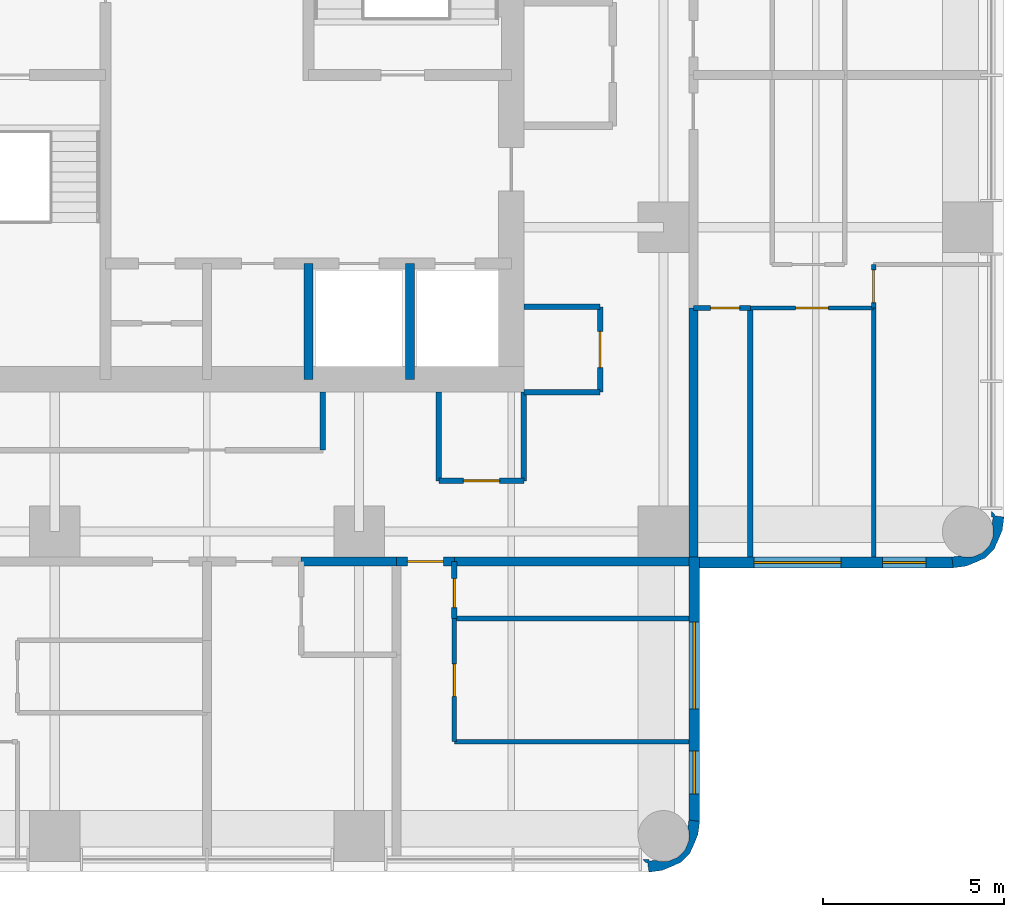
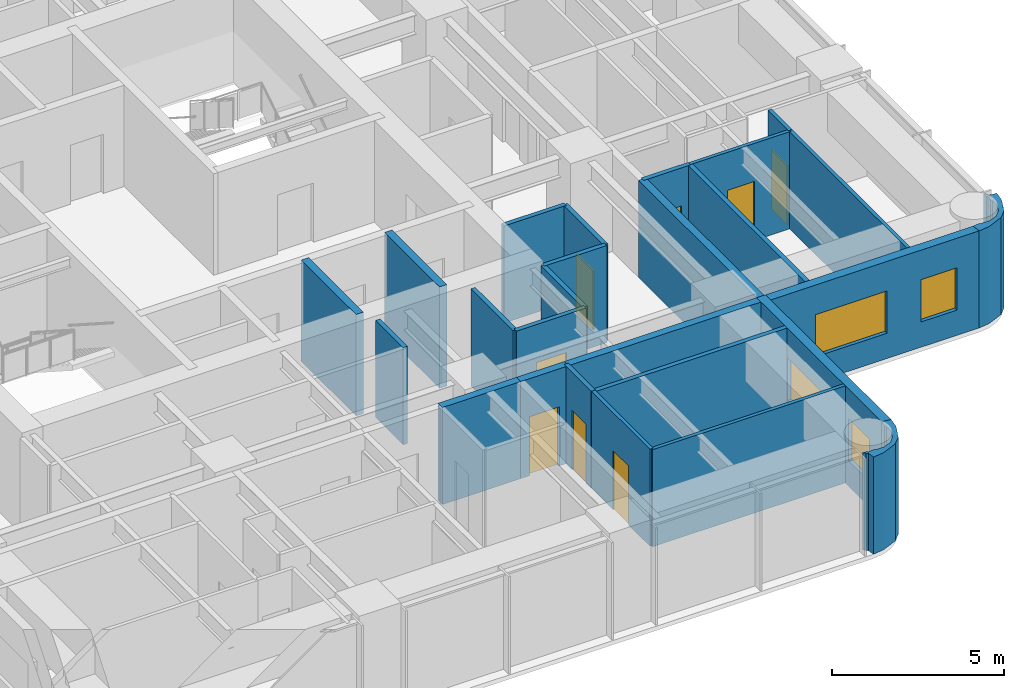
# One storey, part 7 of 11: 26 walls, 8 doors, 4 windows, 12 openings.
"""IFC4 building model written with IfcOpenShell, lengths in metres."""

from ifc_helpers import new_model, si_unit, direction, frame, frame_2d, origin, place, context, subcontext, project, spatial, polyline, rectangle, outline, extrude, material, layer, layer_set, type_object, element, fill, save


model = new_model("IFC4")

# Units and contexts
model_context = context("Model", 3, precision=1e-05, world=origin(), true_north=direction((0.0, 1.0)))
body_context = subcontext(model_context, "Body", "Model", "MODEL_VIEW")
ifc_project = project(units=[si_unit("LENGTHUNIT", "METRE"), si_unit("AREAUNIT", "SQUARE_METRE"), si_unit("VOLUMEUNIT", "CUBIC_METRE"), si_unit("PLANEANGLEUNIT", "RADIAN"), si_unit("MASSUNIT", "GRAM", prefix="KILO")], contexts=[model_context])

# Site, building, storey
site_placement = place(None, origin())
site = spatial("IfcSite", under=ifc_project, at=site_placement, CompositionType="ELEMENT")
building_placement = place(site_placement, origin())
building = spatial("IfcBuilding", under=site, at=building_placement, Name="Torre Alcanfor", CompositionType="ELEMENT")
storey_placement = place(building_placement, frame((0.0, 0.0, 208.5)))
storey = spatial("IfcBuildingStorey", under=building, at=storey_placement, Name="L54", CompositionType="ELEMENT", Elevation=208.5)

# Walls
ifc_material_1 = material(Name="Concrete block masonry, hollow blocks NMX-C-404 9 MPa", Category="masonry")
ifc_layer_1 = layer(ifc_material_1, 0.25)
ifc_layer_set_1 = layer_set([ifc_layer_1], Name="Apartment entrance wall 250 EI 60")
wall_type_1 = type_object("IfcWallType", Name="Apartment entrance wall 250 EI 60", PredefinedType="PARTITIONING", material=ifc_layer_set_1)
wall_1_placement = place(storey_placement, frame((42.824951171875, 22.970947265625, 0.0), z_axis=(0.0, 0.0, 1.0), x_axis=(0.0, -1.0, 0.0)))
element("IfcWall", 1, at=wall_1_placement, inside=storey, type_object=wall_type_1, Name="Partition L54-CORR / L54-E2-BATH", PredefinedType="PARTITIONING", context=body_context, shape_type="SweptSolid", body=[
    extrude(rectangle(XDim=6.870849609375, YDim=0.25, at=frame_2d((3.435546875, 0.0))), origin(), (0.0, 0.0, 1.0), 3.449951171875),
])
wall_2_placement = place(storey_placement, frame((34.62890625, 15.97509765625, 0.0), z_axis=(0.0, 0.0, 1.0), x_axis=(-1.0, 0.0, 0.0)))
element("IfcWall", 2, at=wall_2_placement, inside=storey, type_object=wall_type_1, Name="Partition L54-CORR / L54-S1A-BATH", PredefinedType="PARTITIONING", context=body_context, shape_type="SweptSolid", body=[
    extrude(rectangle(XDim=2.62890625, YDim=0.25, at=frame_2d((1.314453125, 0.0))), origin(), (0.0, 0.0, 1.0), 3.449951171875),
])

# Wall, opening, door
wall_3_placement = place(storey_placement, frame((36.22900390625, 15.97509765625, 0.0), z_axis=(0.0, 0.0, 1.0), x_axis=(-1.0, 0.0, 0.0)))
wall_3 = element("IfcWall", 3, at=wall_3_placement, inside=storey, type_object=wall_type_1, Name="Partition L54-CORR / L54-S1B-LIVING", PredefinedType="PARTITIONING", context=body_context, shape_type="SweptSolid", body=[
    extrude(rectangle(XDim=1.60009765625, YDim=0.25, at=frame_2d((0.800048828125, 0.0))), origin(), (0.0, 0.0, 1.0), 3.449951171875),
])
opening_1_placement = place(wall_3_placement, frame((0.300048828125, 0.0, 0.0)))
opening_1 = element("IfcOpeningElement", 4, at=opening_1_placement, cuts=wall_3, Name="Opening D-A1", PredefinedType="OPENING", context=body_context, shape_type="SweptSolid", body=[
    extrude(rectangle(XDim=1.0, YDim=2.10009765625, at=frame_2d((0.5, 1.050048828125))), frame((0.0, 0.135009765625, 0.0), z_axis=(0.0, -1.0, 0.0), x_axis=(1.0, 0.0, 0.0)), (0.0, 0.0, 1.0), 0.27001953125),
])
ifc_material_2 = material(Name="Galvanised steel sheet ASTM A653", Category="steel")
door_type_1 = type_object("IfcDoorType", Name="Apartment entrance door FD60 1000x2100", OperationType="SINGLE_SWING_LEFT", PredefinedType="DOOR", material=ifc_material_2)
door_1_placement = place(opening_1_placement, origin())
door_1 = element("IfcDoor", 5, at=door_1_placement, inside=storey, type_object=door_type_1, Name="Apartment entrance L54-S1B", OperationType="SINGLE_SWING_LEFT", OverallHeight=2.10009765625, OverallWidth=1.0, PredefinedType="DOOR", context=body_context, shape_type="SweptSolid", body=[
    extrude(rectangle(XDim=1.0, YDim=2.10009765625, at=frame_2d((0.5, 1.050048828125))), frame((0.0, 0.02490234375, 0.0), z_axis=(0.0, -1.0, 0.0), x_axis=(1.0, 0.0, 0.0)), (0.0, 0.0, 1.0), 0.050048828125),
])
fill(opening_1, door_1)

# Wall
wall_4_placement = place(storey_placement, frame((42.699951171875, 15.97509765625, 0.0), z_axis=(0.0, 0.0, 1.0), x_axis=(-1.0, 0.0, 0.0)))
element("IfcWall", 6, at=wall_4_placement, inside=storey, type_object=wall_type_1, Name="Partition L54-CORR / L54-S1B-BATH", PredefinedType="PARTITIONING", context=body_context, shape_type="SweptSolid", body=[
    extrude(rectangle(XDim=6.470947265625, YDim=0.25, at=frame_2d((3.2353515625, 0.0))), origin(), (0.0, 0.0, 1.0), 3.449951171875),
])

# Wall, opening, door
ifc_material_3 = material(Name="Gypsum board on steel studs", Category="steel")
ifc_layer_2 = layer(ifc_material_3, 0.1201171875)
ifc_layer_set_2 = layer_set([ifc_layer_2], Name="Apartment partition 120")
wall_type_2 = type_object("IfcWallType", Name="Apartment partition 120", PredefinedType="PARTITIONING", material=ifc_layer_set_2)
wall_5_placement = place(storey_placement, frame((47.800048828125, 22.970947265625, 0.0), z_axis=(0.0, 0.0, 1.0), x_axis=(-1.0, 0.0, 0.0)))
wall_5 = element("IfcWall", 7, at=wall_5_placement, inside=storey, type_object=wall_type_2, Name="Partition L54-E2-LIVING / L54-E2-STUDY", PredefinedType="PARTITIONING", context=body_context, shape_type="SweptSolid", body=[
    extrude(rectangle(XDim=3.400146484375, YDim=0.1201171875, at=frame_2d((1.7001953125, 0.0))), origin(), (0.0, 0.0, 1.0), 3.449951171875),
])
opening_2_placement = place(wall_5_placement, frame((1.25, 0.0, 0.0)))
opening_2 = element("IfcOpeningElement", 8, at=opening_2_placement, cuts=wall_5, Name="Opening D-R1", PredefinedType="OPENING", context=body_context, shape_type="SweptSolid", body=[
    extrude(rectangle(XDim=0.89990234375, YDim=2.10009765625, at=frame_2d((0.449951171875, 1.050048828125))), frame((0.0, 0.070068359375, 0.0), z_axis=(0.0, -1.0, 0.0), x_axis=(1.0, 0.0, 0.0)), (0.0, 0.0, 1.0), 0.14013671875),
])
ifc_material_4 = material(Name="Timber", Category="wood")
door_type_2 = type_object("IfcDoorType", Name="Internal door 900x2100", OperationType="SINGLE_SWING_LEFT", PredefinedType="DOOR", material=ifc_material_4)
door_2_placement = place(opening_2_placement, origin())
door_2 = element("IfcDoor", 9, at=door_2_placement, inside=storey, type_object=door_type_2, Name="Door L54-E2 study", OperationType="SINGLE_SWING_LEFT", OverallHeight=2.10009765625, OverallWidth=0.89990234375, PredefinedType="DOOR", context=body_context, shape_type="SweptSolid", body=[
    extrude(rectangle(XDim=0.89990234375, YDim=2.10009765625, at=frame_2d((0.449951171875, 1.050048828125))), frame((0.0, 0.02490234375, 0.0), z_axis=(0.0, -1.0, 0.0), x_axis=(1.0, 0.0, 0.0)), (0.0, 0.0, 1.0), 0.050048828125),
])
fill(opening_2, door_2)

wall_6_placement = place(storey_placement, frame((47.800048828125, 24.1708984375, 0.0), z_axis=(0.0, 0.0, 1.0), x_axis=(0.0, -1.0, 0.0)))
wall_6 = element("IfcWall", 10, at=wall_6_placement, inside=storey, type_object=wall_type_2, Name="Partition L54-E2-LIVING / L54-E2-MASTER", PredefinedType="PARTITIONING", context=body_context, shape_type="SweptSolid", body=[
    extrude(rectangle(XDim=1.199951171875, YDim=0.1201171875, at=frame_2d((0.60009765625, 0.0))), origin(), (0.0, 0.0, 1.0), 3.449951171875),
])
opening_3_placement = place(wall_6_placement, frame((0.15087890625, 0.0, 0.0)))
opening_3 = element("IfcOpeningElement", 11, at=opening_3_placement, cuts=wall_6, Name="Opening D-R1", PredefinedType="OPENING", context=body_context, shape_type="SweptSolid", body=[
    extrude(rectangle(XDim=0.89990234375, YDim=2.10009765625, at=frame_2d((0.449951171875, 1.050048828125))), frame((0.0, 0.070068359375, 0.0), z_axis=(0.0, -1.0, 0.0), x_axis=(1.0, 0.0, 0.0)), (0.0, 0.0, 1.0), 0.14013671875),
])
door_3_placement = place(opening_3_placement, origin())
door_3 = element("IfcDoor", 12, at=door_3_placement, inside=storey, type_object=door_type_2, Name="Door L54-E2 master", OperationType="SINGLE_SWING_LEFT", OverallHeight=2.10009765625, OverallWidth=0.89990234375, PredefinedType="DOOR", context=body_context, shape_type="SweptSolid", body=[
    extrude(rectangle(XDim=0.89990234375, YDim=2.10009765625, at=frame_2d((0.449951171875, 1.050048828125))), frame((0.0, 0.02490234375, 0.0), z_axis=(0.0, -1.0, 0.0), x_axis=(1.0, 0.0, 0.0)), (0.0, 0.0, 1.0), 0.050048828125),
])
fill(opening_3, door_3)

# Wall
wall_7_placement = place(storey_placement, frame((47.800048828125, 22.970947265625, 0.0), z_axis=(0.0, 0.0, 1.0), x_axis=(0.0, -1.0, 0.0)))
element("IfcWall", 13, at=wall_7_placement, inside=storey, type_object=wall_type_2, Name="Partition L54-E2-STUDY / L54-E2-MASTER", PredefinedType="PARTITIONING", context=body_context, shape_type="SweptSolid", body=[
    extrude(rectangle(XDim=6.870849609375, YDim=0.1201171875, at=frame_2d((3.435546875, 0.0))), origin(), (0.0, 0.0, 1.0), 3.449951171875),
])

# Wall, opening, door
wall_8_placement = place(storey_placement, frame((36.22900390625, 14.39990234375, 0.0), z_axis=(0.0, 0.0, 1.0), x_axis=(0.0, -1.0, 0.0)))
wall_8 = element("IfcWall", 14, at=wall_8_placement, inside=storey, type_object=wall_type_2, Name="Partition L54-S1B-LIVING / L54-S1B-MASTER", PredefinedType="PARTITIONING", context=body_context, shape_type="SweptSolid", body=[
    extrude(rectangle(XDim=3.39990234375, YDim=0.1201171875, at=frame_2d((1.699951171875, 0.0))), origin(), (0.0, 0.0, 1.0), 3.449951171875),
])
opening_4_placement = place(wall_8_placement, frame((1.25, 0.0, 0.0)))
opening_4 = element("IfcOpeningElement", 15, at=opening_4_placement, cuts=wall_8, Name="Opening D-R1", PredefinedType="OPENING", context=body_context, shape_type="SweptSolid", body=[
    extrude(rectangle(XDim=0.89990234375, YDim=2.10009765625, at=frame_2d((0.449951171875, 1.050048828125))), frame((0.0, 0.070068359375, 0.0), z_axis=(0.0, -1.0, 0.0), x_axis=(1.0, 0.0, 0.0)), (0.0, 0.0, 1.0), 0.14013671875),
])
door_4_placement = place(opening_4_placement, origin())
door_4 = element("IfcDoor", 16, at=door_4_placement, inside=storey, type_object=door_type_2, Name="Door L54-S1B master", OperationType="SINGLE_SWING_LEFT", OverallHeight=2.10009765625, OverallWidth=0.89990234375, PredefinedType="DOOR", context=body_context, shape_type="SweptSolid", body=[
    extrude(rectangle(XDim=0.89990234375, YDim=2.10009765625, at=frame_2d((0.449951171875, 1.050048828125))), frame((0.0, 0.02490234375, 0.0), z_axis=(0.0, -1.0, 0.0), x_axis=(1.0, 0.0, 0.0)), (0.0, 0.0, 1.0), 0.050048828125),
])
fill(opening_4, door_4)

# Walls
wall_9_placement = place(storey_placement, frame((36.22900390625, 11.0, 0.0), z_axis=(0.0, 0.0, 1.0), x_axis=(1.0, 0.0, 0.0)))
element("IfcWall", 17, at=wall_9_placement, inside=storey, type_object=wall_type_2, Name="Partition L54-S1B-LIVING / L54-S1B-MASTER", PredefinedType="PARTITIONING", context=body_context, shape_type="SweptSolid", body=[
    extrude(rectangle(XDim=6.470947265625, YDim=0.1201171875, at=frame_2d((3.2353515625, 0.0))), origin(), (0.0, 0.0, 1.0), 3.449951171875),
])
ifc_material_5 = material(Name="Concrete f'c 70 MPa", Category="concrete")
ifc_layer_3 = layer(ifc_material_5, 0.25)
ifc_layer_set_3 = layer_set([ifc_layer_3], Name="Core shaft wall 250 f'c70")
wall_type_3 = type_object("IfcWallType", Name="Core shaft wall 250 f'c70", PredefinedType="SHEAR", material=ifc_layer_set_3)
for number, where, z_axis, x_axis, name in (
    (18, (32.199951171875, 21.0, 0.0), (0.0, 0.0, 1.0), (0.0, 1.0, 0.0), "Core wall X322S L54"),
    (19, (35.0, 21.0, 0.0), (0.0, 0.0, 1.0), (0.0, 1.0, 0.0), "Core wall X350S L54"),
):
    element("IfcWall", number, at=place(storey_placement, frame(where, z_axis=z_axis, x_axis=x_axis)), inside=storey, type_object=wall_type_3, Name=name, PredefinedType="SHEAR", context=body_context, shape_type="SweptSolid", body=[
        extrude(rectangle(XDim=3.199951171875, YDim=0.25, at=frame_2d((1.60009765625, 0.0))), origin(), (0.0, 0.0, 1.0), 3.60009765625),
    ])

# Wall, openings, windows
ifc_material_6 = material(Name="Limestone cladding", Category="masonry")
ifc_layer_4 = layer(ifc_material_6, 0.0400390625, Name="Facing")
ifc_material_7 = material(Name="Ventilated air cavity")
ifc_layer_5 = layer(ifc_material_7, 0.02001953125, ventilated=True, Name="Ventilated joint")
ifc_material_8 = material(Name="Mineral wool insulation", Category="insulation")
ifc_layer_6 = layer(ifc_material_8, 0.10009765625, Name="Insulation")
ifc_material_9 = material(Name="Concrete f'c 35 MPa", Category="concrete")
ifc_layer_7 = layer(ifc_material_9, 0.139892578125, Name="Backing")
ifc_layer_set_4 = layer_set([ifc_layer_4, ifc_layer_5, ifc_layer_6, ifc_layer_7], Name="External wall stone-clad 300")
wall_type_4 = type_object("IfcWallType", Name="External wall stone-clad 300", PredefinedType="SOLIDWALL", material=ifc_layer_set_4)
wall_10_placement = place(storey_placement, frame((42.85009765625, 8.800048828125, 0.0), z_axis=(0.0, 0.0, 1.0), x_axis=(0.0, 1.0, 0.0)))
wall_10 = element("IfcWall", 20, at=wall_10_placement, inside=storey, type_object=wall_type_4, Name="External wall L54 6", PredefinedType="SOLIDWALL", context=body_context, shape_type="SweptSolid", body=[
    extrude(rectangle(XDim=7.300048828125, YDim=0.300048828125, at=frame_2d((3.64990234375, 0.0))), origin(), (0.0, 0.0, 1.0), 3.449951171875),
])
opening_5_placement = place(wall_10_placement, frame((3.10009765625, 0.0, 0.89990234375)))
opening_5 = element("IfcOpeningElement", 21, at=opening_5_placement, cuts=wall_10, Name="Opening W1", PredefinedType="OPENING", context=body_context, shape_type="SweptSolid", body=[
    extrude(rectangle(XDim=2.39990234375, YDim=1.5, at=frame_2d((1.199951171875, 0.75))), frame((0.0, 0.159912109375, 0.0), z_axis=(0.0, -1.0, 0.0), x_axis=(1.0, 0.0, 0.0)), (0.0, 0.0, 1.0), 0.320068359375),
])
opening_6_placement = place(wall_10_placement, frame((0.75, 0.0, 0.89990234375)))
opening_6 = element("IfcOpeningElement", 22, at=opening_6_placement, cuts=wall_10, Name="Opening W4", PredefinedType="OPENING", context=body_context, shape_type="SweptSolid", body=[
    extrude(rectangle(XDim=1.199951171875, YDim=1.5, at=frame_2d((0.60009765625, 0.75))), frame((0.0, 0.159912109375, 0.0), z_axis=(0.0, -1.0, 0.0), x_axis=(1.0, 0.0, 0.0)), (0.0, 0.0, 1.0), 0.320068359375),
])
ifc_material_10 = material(Name="Aluminium frame with clear double glazing", Category="aluminium")
window_type_1 = type_object("IfcWindowType", Name="Window bedroom 1200x1500", PartitioningType="SINGLE_PANEL", PredefinedType="WINDOW", material=ifc_material_10)
window_1_placement = place(opening_6_placement, origin())
window_1 = element("IfcWindow", 23, at=window_1_placement, inside=storey, type_object=window_type_1, Name="Window W4 L54-S1", OverallHeight=1.5, OverallWidth=1.199951171875, PartitioningType="SINGLE_PANEL", PredefinedType="WINDOW", context=body_context, shape_type="SweptSolid", body=[
    extrude(rectangle(XDim=1.199951171875, YDim=1.5, at=frame_2d((0.60009765625, 0.75))), frame((0.0, 0.030029296875, 0.0), z_axis=(0.0, -1.0, 0.0), x_axis=(1.0, 0.0, 0.0)), (0.0, 0.0, 1.0), 0.06005859375),
])
fill(opening_6, window_1)
ifc_material_11 = material(Name="Aluminium frame with clear double glazing", Category="aluminium")
window_type_2 = type_object("IfcWindowType", Name="Window bedroom 2400x1500", PartitioningType="SINGLE_PANEL", PredefinedType="WINDOW", material=ifc_material_11)
window_2_placement = place(opening_5_placement, origin())
window_2 = element("IfcWindow", 24, at=window_2_placement, inside=storey, type_object=window_type_2, Name="Window W1 L54-S1", OverallHeight=1.5, OverallWidth=2.39990234375, PartitioningType="SINGLE_PANEL", PredefinedType="WINDOW", context=body_context, shape_type="SweptSolid", body=[
    extrude(rectangle(XDim=2.39990234375, YDim=1.5, at=frame_2d((1.199951171875, 0.75))), frame((0.0, 0.030029296875, 0.0), z_axis=(0.0, -1.0, 0.0), x_axis=(1.0, 0.0, 0.0)), (0.0, 0.0, 1.0), 0.06005859375),
])
fill(opening_5, window_2)

wall_11_placement = place(storey_placement, frame((43.0, 15.949951171875, 0.0), z_axis=(0.0, 0.0, 1.0), x_axis=(1.0, 0.0, 0.0)))
wall_11 = element("IfcWall", 25, at=wall_11_placement, inside=storey, type_object=wall_type_4, Name="External wall L54 7", PredefinedType="SOLIDWALL", context=body_context, shape_type="SweptSolid", body=[
    extrude(rectangle(XDim=7.0, YDim=0.300048828125, at=frame_2d((3.5, 0.0))), origin(), (0.0, 0.0, 1.0), 3.449951171875),
])
opening_7_placement = place(wall_11_placement, frame((1.5, 0.0, 0.89990234375)))
opening_7 = element("IfcOpeningElement", 26, at=opening_7_placement, cuts=wall_11, Name="Opening W1", PredefinedType="OPENING", context=body_context, shape_type="SweptSolid", body=[
    extrude(rectangle(XDim=2.39990234375, YDim=1.5, at=frame_2d((1.199951171875, 0.75))), frame((0.0, 0.159912109375, 0.0), z_axis=(0.0, -1.0, 0.0), x_axis=(1.0, 0.0, 0.0)), (0.0, 0.0, 1.0), 0.320068359375),
])
opening_8_placement = place(wall_11_placement, frame((5.050048828125, 0.0, 0.89990234375)))
opening_8 = element("IfcOpeningElement", 27, at=opening_8_placement, cuts=wall_11, Name="Opening W4", PredefinedType="OPENING", context=body_context, shape_type="SweptSolid", body=[
    extrude(rectangle(XDim=1.199951171875, YDim=1.5, at=frame_2d((0.60009765625, 0.75))), frame((0.0, 0.159912109375, 0.0), z_axis=(0.0, -1.0, 0.0), x_axis=(1.0, 0.0, 0.0)), (0.0, 0.0, 1.0), 0.320068359375),
])
window_3_placement = place(opening_8_placement, origin())
window_3 = element("IfcWindow", 28, at=window_3_placement, inside=storey, type_object=window_type_1, Name="Window W4 L54-E2", OverallHeight=1.5, OverallWidth=1.199951171875, PartitioningType="SINGLE_PANEL", PredefinedType="WINDOW", context=body_context, shape_type="SweptSolid", body=[
    extrude(rectangle(XDim=1.199951171875, YDim=1.5, at=frame_2d((0.60009765625, 0.75))), frame((0.0, 0.030029296875, 0.0), z_axis=(0.0, -1.0, 0.0), x_axis=(1.0, 0.0, 0.0)), (0.0, 0.0, 1.0), 0.06005859375),
])
fill(opening_8, window_3)
window_4_placement = place(opening_7_placement, origin())
window_4 = element("IfcWindow", 29, at=window_4_placement, inside=storey, type_object=window_type_2, Name="Window W1 L54-E2", OverallHeight=1.5, OverallWidth=2.39990234375, PartitioningType="SINGLE_PANEL", PredefinedType="WINDOW", context=body_context, shape_type="SweptSolid", body=[
    extrude(rectangle(XDim=2.39990234375, YDim=1.5, at=frame_2d((1.199951171875, 0.75))), frame((0.0, 0.030029296875, 0.0), z_axis=(0.0, -1.0, 0.0), x_axis=(1.0, 0.0, 0.0)), (0.0, 0.0, 1.0), 0.06005859375),
])
fill(opening_7, window_4)

# Wall
ifc_material_12 = material(Name="Concrete block masonry, hollow blocks NMX-C-404 9 MPa", Category="masonry")
ifc_layer_8 = layer(ifc_material_12, 0.14990234375)
ifc_layer_set_5 = layer_set([ifc_layer_8], Name="Residents' room partition 150")
wall_type_5 = type_object("IfcWallType", Name="Residents' room partition 150", PredefinedType="PARTITIONING", material=ifc_layer_set_5)
wall_12_placement = place(storey_placement, frame((38.14990234375, 20.64990234375, 0.0), z_axis=(0.0, 0.0, 1.0), x_axis=(1.0, 0.0, 0.0)))
element("IfcWall", 30, at=wall_12_placement, inside=storey, type_object=wall_type_5, Name="Partition L54-CORR / L54-G03", PredefinedType="PARTITIONING", context=body_context, shape_type="SweptSolid", body=[
    extrude(rectangle(XDim=2.10009765625, YDim=0.14990234375, at=frame_2d((1.050048828125, 0.0))), origin(), (0.0, 0.0, 1.0), 3.449951171875),
])

# Wall, opening, door
wall_13_placement = place(storey_placement, frame((40.25, 20.64990234375, 0.0), z_axis=(0.0, 0.0, 1.0), x_axis=(0.0, 1.0, 0.0)))
wall_13 = element("IfcWall", 31, at=wall_13_placement, inside=storey, type_object=wall_type_5, Name="Partition L54-CORR / L54-G03", PredefinedType="PARTITIONING", context=body_context, shape_type="SweptSolid", body=[
    extrude(rectangle(XDim=2.35009765625, YDim=0.14990234375, at=frame_2d((1.175048828125, 0.0))), origin(), (0.0, 0.0, 1.0), 3.449951171875),
])
opening_9_placement = place(wall_13_placement, frame((0.675048828125, 0.0, 0.0)))
opening_9 = element("IfcOpeningElement", 32, at=opening_9_placement, cuts=wall_13, Name="Opening D-M1", PredefinedType="OPENING", context=body_context, shape_type="SweptSolid", body=[
    extrude(rectangle(XDim=1.0, YDim=2.10009765625, at=frame_2d((0.5, 1.050048828125))), frame((0.0, 0.0849609375, 0.0), z_axis=(0.0, -1.0, 0.0), x_axis=(1.0, 0.0, 0.0)), (0.0, 0.0, 1.0), 0.169921875),
])
ifc_material_13 = material(Name="Timber", Category="wood")
door_type_3 = type_object("IfcDoorType", Name="Residents' room door 1000x2100", OperationType="SINGLE_SWING_LEFT", PredefinedType="DOOR", material=ifc_material_13)
door_5_placement = place(opening_9_placement, origin())
door_5 = element("IfcDoor", 33, at=door_5_placement, inside=storey, type_object=door_type_3, Name="Door L54-G03 parcel room", OperationType="SINGLE_SWING_LEFT", OverallHeight=2.10009765625, OverallWidth=1.0, PredefinedType="DOOR", context=body_context, shape_type="SweptSolid", body=[
    extrude(rectangle(XDim=1.0, YDim=2.10009765625, at=frame_2d((0.5, 1.050048828125))), frame((0.0, 0.02490234375, 0.0), z_axis=(0.0, -1.0, 0.0), x_axis=(1.0, 0.0, 0.0)), (0.0, 0.0, 1.0), 0.050048828125),
])
fill(opening_9, door_5)

# Walls
wall_14_placement = place(storey_placement, frame((40.25, 23.0, 0.0), z_axis=(0.0, 0.0, 1.0), x_axis=(-1.0, 0.0, 0.0)))
element("IfcWall", 34, at=wall_14_placement, inside=storey, type_object=wall_type_5, Name="Partition L54-CORR / L54-G03", PredefinedType="PARTITIONING", context=body_context, shape_type="SweptSolid", body=[
    extrude(rectangle(XDim=2.10009765625, YDim=0.14990234375, at=frame_2d((1.050048828125, 0.0))), origin(), (0.0, 0.0, 1.0), 3.449951171875),
])
wall_15_placement = place(storey_placement, frame((32.60009765625, 19.050048828125, 0.0), z_axis=(0.0, 0.0, 1.0), x_axis=(0.0, 1.0, 0.0)))
element("IfcWall", 35, at=wall_15_placement, inside=storey, type_object=wall_type_5, Name="Partition L54-CORR / L54-G05", PredefinedType="PARTITIONING", context=body_context, shape_type="SweptSolid", body=[
    extrude(rectangle(XDim=1.599853515625, YDim=0.14990234375, at=frame_2d((0.7998046875, 0.0))), origin(), (0.0, 0.0, 1.0), 3.449951171875),
])
wall_16_placement = place(storey_placement, frame((35.800048828125, 20.64990234375, 0.0), z_axis=(0.0, 0.0, 1.0), x_axis=(0.0, -1.0, 0.0)))
element("IfcWall", 36, at=wall_16_placement, inside=storey, type_object=wall_type_5, Name="Partition L54-CORR / L54-G06", PredefinedType="PARTITIONING", context=body_context, shape_type="SweptSolid", body=[
    extrude(rectangle(XDim=2.449951171875, YDim=0.14990234375, at=frame_2d((1.22509765625, 0.0))), origin(), (0.0, 0.0, 1.0), 3.449951171875),
])

# Wall, opening, door
wall_17_placement = place(storey_placement, frame((35.800048828125, 18.199951171875, 0.0), z_axis=(0.0, 0.0, 1.0), x_axis=(1.0, 0.0, 0.0)))
wall_17 = element("IfcWall", 37, at=wall_17_placement, inside=storey, type_object=wall_type_5, Name="Partition L54-CORR / L54-G06", PredefinedType="PARTITIONING", context=body_context, shape_type="SweptSolid", body=[
    extrude(rectangle(XDim=2.349853515625, YDim=0.14990234375, at=frame_2d((1.1748046875, 0.0))), origin(), (0.0, 0.0, 1.0), 3.449951171875),
])
opening_10_placement = place(wall_17_placement, frame((0.675048828125, 0.0, 0.0)))
opening_10 = element("IfcOpeningElement", 38, at=opening_10_placement, cuts=wall_17, Name="Opening D-M1", PredefinedType="OPENING", context=body_context, shape_type="SweptSolid", body=[
    extrude(rectangle(XDim=1.0, YDim=2.10009765625, at=frame_2d((0.5, 1.050048828125))), frame((0.0, 0.0849609375, 0.0), z_axis=(0.0, -1.0, 0.0), x_axis=(1.0, 0.0, 0.0)), (0.0, 0.0, 1.0), 0.169921875),
])
door_6_placement = place(opening_10_placement, origin())
door_6 = element("IfcDoor", 39, at=door_6_placement, inside=storey, type_object=door_type_3, Name="Door L54-G06 cleaners' store", OperationType="SINGLE_SWING_LEFT", OverallHeight=2.10009765625, OverallWidth=1.0, PredefinedType="DOOR", context=body_context, shape_type="SweptSolid", body=[
    extrude(rectangle(XDim=1.0, YDim=2.10009765625, at=frame_2d((0.5, 1.050048828125))), frame((0.0, 0.02490234375, 0.0), z_axis=(0.0, -1.0, 0.0), x_axis=(1.0, 0.0, 0.0)), (0.0, 0.0, 1.0), 0.050048828125),
])
fill(opening_10, door_6)

# Walls
wall_18_placement = place(storey_placement, frame((38.14990234375, 18.199951171875, 0.0), z_axis=(0.0, 0.0, 1.0), x_axis=(0.0, 1.0, 0.0)))
element("IfcWall", 40, at=wall_18_placement, inside=storey, type_object=wall_type_5, Name="Partition L54-CORR / L54-G06", PredefinedType="PARTITIONING", context=body_context, shape_type="SweptSolid", body=[
    extrude(rectangle(XDim=2.449951171875, YDim=0.14990234375, at=frame_2d((1.22509765625, 0.0))), origin(), (0.0, 0.0, 1.0), 3.449951171875),
])
ifc_layer_9 = layer(ifc_material_6, 0.0400390625, Name="Facing")
ifc_layer_10 = layer(ifc_material_7, 0.02001953125, ventilated=True, Name="Ventilated joint")
ifc_layer_11 = layer(ifc_material_8, 0.10009765625, Name="Insulation")
ifc_layer_12 = layer(ifc_material_9, 0.139892578125, Name="Backing")
ifc_layer_set_6 = layer_set([ifc_layer_9, ifc_layer_10, ifc_layer_11, ifc_layer_12], Name="Rounded corner pier stone-clad 300")
wall_type_6 = type_object("IfcWallType", Name="Rounded corner pier stone-clad 300", PredefinedType="SOLIDWALL", material=ifc_layer_set_6)
wall_19_placement = place(storey_placement, frame((41.487674505, 7.81184816, 0.0), z_axis=(0.0, 0.0, 1.0), x_axis=(0.439933741929, -0.898030234854, 0.0)))
element("IfcWall", 41, at=wall_19_placement, inside=storey, type_object=wall_type_6, Name="Corner pier L54 16", PredefinedType="SOLIDWALL", context=body_context, shape_type="SweptSolid", body=[
    extrude(outline(polyline([(-0.22211106405008596, 1.79285683715578), (-0.38963046514304167, 1.5408036407584151), (-0.3716523207929293, 1.5319963734639448), (-0.19468756344442484, 1.4143112499146666), (-0.11952867709650372, 1.4095716139925836), (0.13084986982823227, 1.2869143060622759), (0.31521775375122, 1.077790939273673), (0.4056918504372342, 0.8140758848288827), (0.38808178724257975, 0.5356161745678794), (0.2654244793122719, 0.2852376276431435), (0.2089428669679142, 0.23542648619150297), (0.14753391384334946, 0.052913590909571956), (0.10500025525893722, 0.07375029645990445), (0.031856974435347366, -0.07555599991115089), (0.1375846098688884, -0.03953909720776211), (0.1818140873587874, -0.00030939302076338215), (0.41939853572309777, -0.08026947549461516), (0.5358164427032454, 0.26614260505761644), (0.5587307592354187, 0.6309028220812384), (0.5547454122460747, 0.6510699721236227), (0.5663481591314005, 0.8356895887147825), (0.4554073490163316, 1.1591818423176052), (0.33330228334154954, 1.2978396679318425), (0.3239786746038034, 1.3165440299102549), (0.08230538830534162, 1.5907138760183892), (-0.22211106405008596, 1.79285683715578)])), origin(), (0.0, 0.0, 1.0), 3.449951171875),
])
wall_20_placement = place(storey_placement, frame((50.110315272, 16.075788181, 0.0), z_axis=(0.0, 0.0, 1.0), x_axis=(0.898030234854, -0.439933741929, 0.0)))
element("IfcWall", 42, at=wall_20_placement, inside=storey, type_object=wall_type_6, Name="Corner pier L54 17", PredefinedType="SOLIDWALL", context=body_context, shape_type="SweptSolid", body=[
    extrude(outline(polyline([(0.6635309497954787, 1.5768652207279077), (0.4261657470939745, 1.4970125439527688), (0.3820436753027886, 1.5360230024769612), (0.27620863417053443, 1.5722591508431565), (0.3493519149941243, 1.422952854472101), (0.3918855735785366, 1.4437895600224335), (0.45340193240181437, 1.2610574190776962), (0.5097761390474591, 1.211465523288862), (0.6324334469777668, 0.961086976364126), (0.6500435101724213, 0.6826272661031227), (0.5595694134864071, 0.41891221165833237), (0.3749822839006132, 0.2096814391710166), (0.12460373697587725, 0.08702413124070879), (0.0497715019894753, 0.08217265535453251), (-0.12751990672054841, -0.03540062823065235), (-0.14527880540785457, -0.04410048982640973), (0.02224059568510124, -0.2961536862237746), (0.3266570480405287, -0.09401072508638375), (0.5683303343389906, 0.18015912102175058), (0.5774346974139304, 0.19875607730145015), (0.6998664144502319, 0.3373020629515939), (0.8106998188665876, 0.6610135622172228), (0.7988778263184556, 0.8455257731096697), (0.8030824189706058, 0.8658003288507671), (0.7801681024384324, 1.230560545874389), (0.6635309497954787, 1.5768652207279077)])), origin(), (0.0, 0.0, 1.0), 3.449951171875),
])

# Wall, opening, door
ifc_material_14 = material(Name="Cement board on steel studs", Category="steel")
ifc_layer_13 = layer(ifc_material_14, 0.14990234375)
ifc_layer_set_7 = layer_set([ifc_layer_13], Name="Wet area partition 150")
wall_type_7 = type_object("IfcWallType", Name="Wet area partition 150", PredefinedType="PARTITIONING", material=ifc_layer_set_7)
wall_21_placement = place(storey_placement, frame((44.39990234375, 22.970947265625, 0.0), z_axis=(0.0, 0.0, 1.0), x_axis=(-1.0, 0.0, 0.0)))
wall_21 = element("IfcWall", 43, at=wall_21_placement, inside=storey, type_object=wall_type_7, Name="Partition L54-E2-LIVING / L54-E2-BATH", PredefinedType="PARTITIONING", context=body_context, shape_type="SweptSolid", body=[
    extrude(rectangle(XDim=1.574951171875, YDim=0.14990234375, at=frame_2d((0.78759765625, 0.0))), origin(), (0.0, 0.0, 1.0), 3.449951171875),
])
opening_11_placement = place(wall_21_placement, frame((0.300048828125, 0.0, 0.0)))
opening_11 = element("IfcOpeningElement", 44, at=opening_11_placement, cuts=wall_21, Name="Opening D-R2", PredefinedType="OPENING", context=body_context, shape_type="SweptSolid", body=[
    extrude(rectangle(XDim=0.800048828125, YDim=2.10009765625, at=frame_2d((0.39990234375, 1.050048828125))), frame((0.0, 0.0849609375, 0.0), z_axis=(0.0, -1.0, 0.0), x_axis=(1.0, 0.0, 0.0)), (0.0, 0.0, 1.0), 0.169921875),
])
ifc_material_15 = material(Name="Timber", Category="wood")
door_type_4 = type_object("IfcDoorType", Name="Bathroom door 800x2100", OperationType="SINGLE_SWING_LEFT", PredefinedType="DOOR", material=ifc_material_15)
door_7_placement = place(opening_11_placement, origin())
door_7 = element("IfcDoor", 45, at=door_7_placement, inside=storey, type_object=door_type_4, Name="Door L54-E2 bath", OperationType="SINGLE_SWING_LEFT", OverallHeight=2.10009765625, OverallWidth=0.800048828125, PredefinedType="DOOR", context=body_context, shape_type="SweptSolid", body=[
    extrude(rectangle(XDim=0.800048828125, YDim=2.10009765625, at=frame_2d((0.39990234375, 1.050048828125))), frame((0.0, 0.02490234375, 0.0), z_axis=(0.0, -1.0, 0.0), x_axis=(1.0, 0.0, 0.0)), (0.0, 0.0, 1.0), 0.050048828125),
])
fill(opening_11, door_7)

# Wall
wall_22_placement = place(storey_placement, frame((44.39990234375, 22.970947265625, 0.0), z_axis=(0.0, 0.0, 1.0), x_axis=(0.0, -1.0, 0.0)))
element("IfcWall", 46, at=wall_22_placement, inside=storey, type_object=wall_type_7, Name="Partition L54-E2-BATH / L54-E2-STUDY", PredefinedType="PARTITIONING", context=body_context, shape_type="SweptSolid", body=[
    extrude(rectangle(XDim=6.870849609375, YDim=0.14990234375, at=frame_2d((3.435546875, 0.0))), origin(), (0.0, 0.0, 1.0), 3.449951171875),
])

# Wall, opening, door
wall_23_placement = place(storey_placement, frame((36.22900390625, 15.97509765625, 0.0), z_axis=(0.0, 0.0, 1.0), x_axis=(0.0, -1.0, 0.0)))
wall_23 = element("IfcWall", 47, at=wall_23_placement, inside=storey, type_object=wall_type_7, Name="Partition L54-S1B-LIVING / L54-S1B-BATH", PredefinedType="PARTITIONING", context=body_context, shape_type="SweptSolid", body=[
    extrude(rectangle(XDim=1.5751953125, YDim=0.14990234375, at=frame_2d((0.78759765625, 0.0))), origin(), (0.0, 0.0, 1.0), 3.449951171875),
])
opening_12_placement = place(wall_23_placement, frame((0.47509765625, 0.0, 0.0)))
opening_12 = element("IfcOpeningElement", 48, at=opening_12_placement, cuts=wall_23, Name="Opening D-R2", PredefinedType="OPENING", context=body_context, shape_type="SweptSolid", body=[
    extrude(rectangle(XDim=0.800048828125, YDim=2.10009765625, at=frame_2d((0.39990234375, 1.050048828125))), frame((0.0, 0.0849609375, 0.0), z_axis=(0.0, -1.0, 0.0), x_axis=(1.0, 0.0, 0.0)), (0.0, 0.0, 1.0), 0.169921875),
])
door_8_placement = place(opening_12_placement, origin())
door_8 = element("IfcDoor", 49, at=door_8_placement, inside=storey, type_object=door_type_4, Name="Door L54-S1B bath", OperationType="SINGLE_SWING_RIGHT", OverallHeight=2.10009765625, OverallWidth=0.800048828125, PredefinedType="DOOR", context=body_context, shape_type="SweptSolid", body=[
    extrude(rectangle(XDim=0.800048828125, YDim=2.10009765625, at=frame_2d((0.39990234375, 1.050048828125))), frame((0.0, 0.02490234375, 0.0), z_axis=(0.0, -1.0, 0.0), x_axis=(1.0, 0.0, 0.0)), (0.0, 0.0, 1.0), 0.050048828125),
])
fill(opening_12, door_8)

# Wall
wall_24_placement = place(storey_placement, frame((36.22900390625, 14.39990234375, 0.0), z_axis=(0.0, 0.0, 1.0), x_axis=(1.0, 0.0, 0.0)))
element("IfcWall", 50, at=wall_24_placement, inside=storey, type_object=wall_type_7, Name="Partition L54-S1B-BATH / L54-S1B-MASTER", PredefinedType="PARTITIONING", context=body_context, shape_type="SweptSolid", body=[
    extrude(rectangle(XDim=6.470947265625, YDim=0.14990234375, at=frame_2d((3.2353515625, 0.0))), origin(), (0.0, 0.0, 1.0), 3.449951171875),
])

save(model, "model.ifc")
